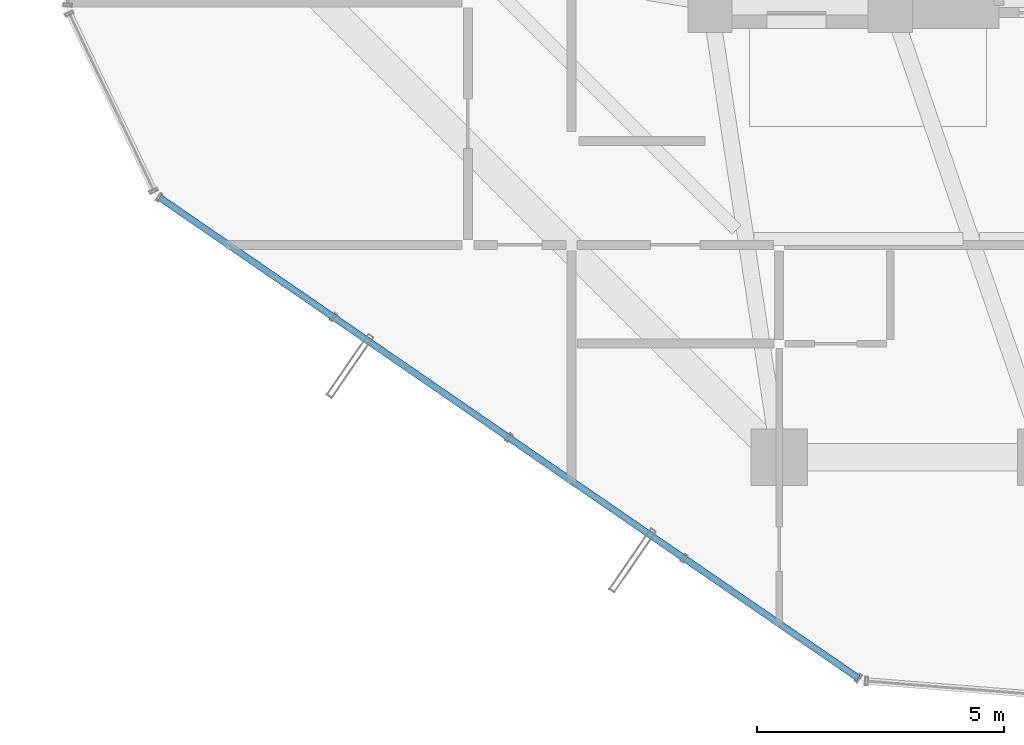
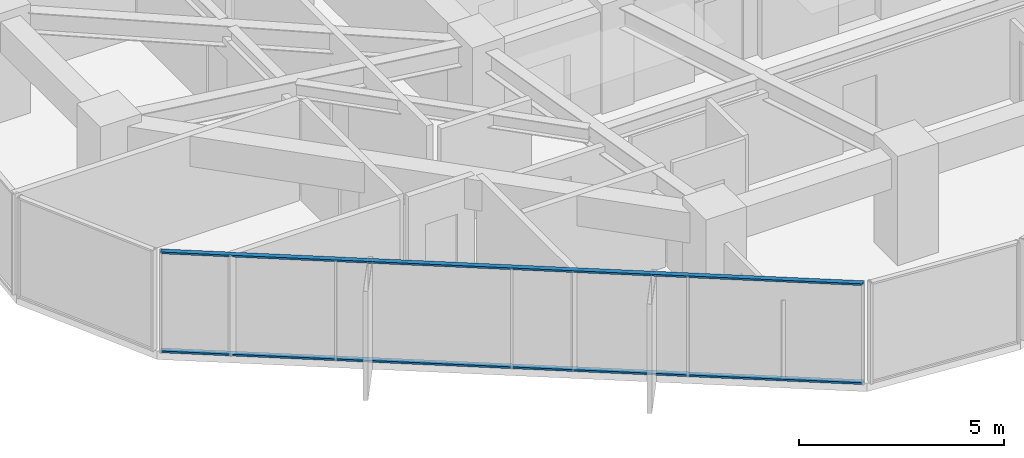
# One storey, part 3 of 30: 2 members, 1 element without a shape of its own.
"""IFC4 building model written with IfcOpenShell, lengths in metres."""

from ifc_helpers import new_model, si_unit, direction, frame, origin, origin_2d, place, context, subcontext, project, spatial, hollow_rectangle, extrude, source, transform, mapped, material, layer, layer_set, material_profile, profile_set, type_object, element, aggregate, save


model = new_model("IFC4")

# Units and contexts
model_context = context("Model", 3, precision=1e-05, world=origin(), true_north=direction((0.0, 1.0)))
body_context = subcontext(model_context, "Body", "Model", "MODEL_VIEW")
ifc_project = project(units=[si_unit("LENGTHUNIT", "METRE"), si_unit("AREAUNIT", "SQUARE_METRE"), si_unit("VOLUMEUNIT", "CUBIC_METRE"), si_unit("PLANEANGLEUNIT", "RADIAN"), si_unit("MASSUNIT", "GRAM", prefix="KILO")], contexts=[model_context])

# Site, building, storey
site_placement = place(None, origin())
site = spatial("IfcSite", under=ifc_project, at=site_placement, CompositionType="ELEMENT")
building_placement = place(site_placement, origin())
building = spatial("IfcBuilding", under=site, at=building_placement, Name="Veraguas Prism Commons", CompositionType="ELEMENT")
storey_placement = place(building_placement, frame((0.0, 0.0, 113.25)))
storey = spatial("IfcBuildingStorey", under=building, at=storey_placement, Name="L31", CompositionType="ELEMENT", Elevation=113.25)

# Curtain wall, members
ifc_material = material(Name="Anodised aluminium EN AW-6063 T6", Category="aluminium")
ifc_layer = layer(ifc_material, 0.169921875, Name="Unitised Flush Curtain Wall Zone 2", Category="aluminium")
ifc_layer_set = layer_set([ifc_layer], Name="Anodised aluminium EN AW-6063 T6")
curtain_wall_type = type_object("IfcCurtainWallType", Name="Unitised Flush Curtain Wall Zone 2", PredefinedType="NOTDEFINED", material=ifc_layer_set)
curtain_wall_placement = place(storey_placement, origin())
curtain_wall = element("IfcCurtainWall", 1, at=curtain_wall_placement, inside=storey, type_object=curtain_wall_type, Name="Tower Facade Curtain Wall L31-F4", PredefinedType="NOTDEFINED")
ifc_material_profile = material_profile(ifc_material, hollow_rectangle(XDim=0.054931640625, YDim=0.135009765625, WallThickness=0.0029296875, at=origin_2d()), Name="AL55X135X3")
ifc_profile_set = profile_set([ifc_material_profile], Name="Anodised aluminium EN AW-6063 T6")
member_type = type_object("IfcMemberType", Name="Curtain Wall Transom Standard AL 55x135x3", PredefinedType="USERDEFINED", material=ifc_profile_set)
shared_shape = source(origin(), body_context, "Body", "SweptSolid", [
    extrude(hollow_rectangle(XDim=0.054931640625, YDim=0.135009765625, WallThickness=0.0029296875, at=origin_2d()), origin(), (0.0, 0.0, 1.0), 17.17431640625),
])
member_1_placement = place(storey_placement, frame((6.05419921875, 13.061279296875, 0.027587890625), z_axis=(0.823925770293, -0.566697736935, 0.0), x_axis=(0.0, 0.0, 1.0)))
member_1 = element("IfcMember", 2, at=member_1_placement, type_object=member_type, Name="CW-Z2 Transom 1", ObjectType="TRANSOM", PredefinedType="USERDEFINED", context=body_context, shape_type="MappedRepresentation", body=[
    mapped(shared_shape, transform((0.0, 0.0, 0.0), scale=1.0)),
])
member_2_placement = place(storey_placement, frame((6.05419921875, 13.061279296875, 2.972412109375), z_axis=(0.823925770293, -0.566697736935, 0.0), x_axis=(0.0, 0.0, 1.0)))
member_2 = element("IfcMember", 3, at=member_2_placement, type_object=member_type, Name="CW-Z2 Transom 2", ObjectType="TRANSOM", PredefinedType="USERDEFINED", context=body_context, shape_type="MappedRepresentation", body=[
    mapped(shared_shape, transform((0.0, 0.0, 0.0), scale=1.0)),
])
aggregate(curtain_wall, [member_1, member_2])

save(model, "model.ifc")
